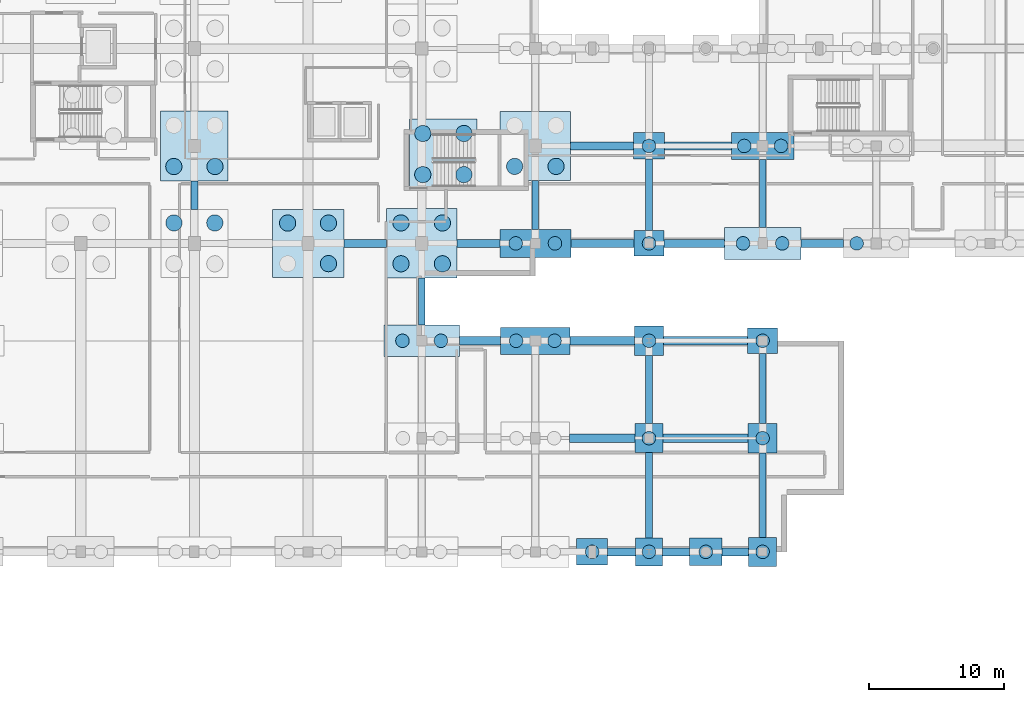
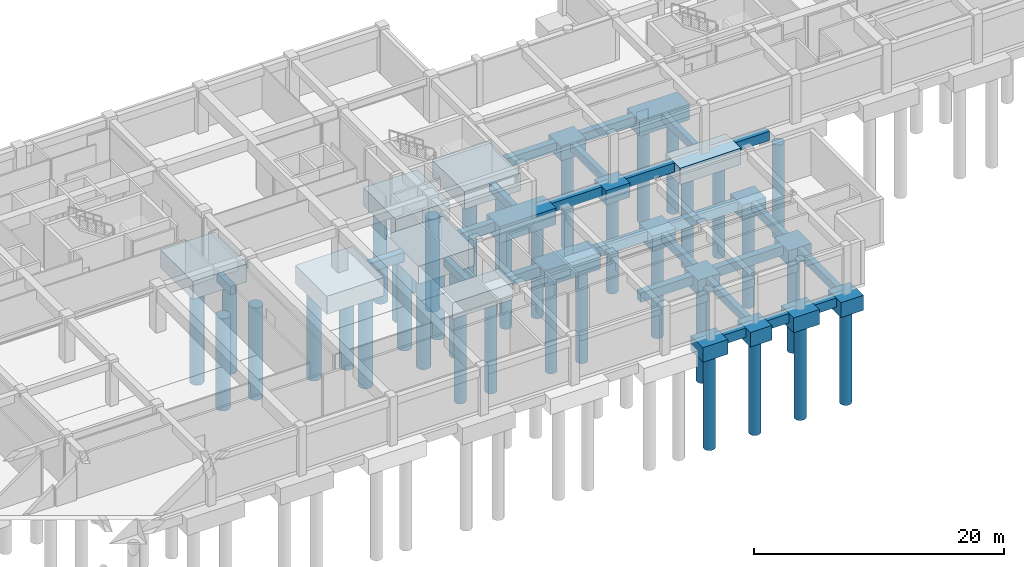
# One storey, part 6 of 42: 44 footings, 38 piles.
"""IFC4 building model written with IfcOpenShell, lengths in metres."""

from ifc_helpers import new_model, si_unit, direction, frame, origin, origin_2d, place, context, subcontext, project, spatial, rectangle, circle, extrude, material, material_profile, profile_set, type_object, element, save


model = new_model("IFC4")

# Units and contexts
model_context = context("Model", 3, precision=1e-05, world=origin(), true_north=direction((0.0, 1.0)))
body_context = subcontext(model_context, "Body", "Model", "MODEL_VIEW")
ifc_project = project(units=[si_unit("LENGTHUNIT", "METRE"), si_unit("AREAUNIT", "SQUARE_METRE"), si_unit("VOLUMEUNIT", "CUBIC_METRE"), si_unit("PLANEANGLEUNIT", "RADIAN"), si_unit("MASSUNIT", "GRAM", prefix="KILO")], contexts=[model_context])

# Site, building, storey
site_placement = place(None, origin())
site = spatial("IfcSite", under=ifc_project, at=site_placement, CompositionType="ELEMENT")
building_placement = place(site_placement, origin())
building = spatial("IfcBuilding", under=site, at=building_placement, Name="Quendrovan Civic Courthouse", CompositionType="ELEMENT")
storey_placement = place(building_placement, frame((0.0, 0.0, -4.5)))
storey = spatial("IfcBuildingStorey", under=building, at=storey_placement, Name="B1", CompositionType="ELEMENT", Elevation=-4.5)

# Footings
ifc_material = material(Name="Concrete C35/45", Category="concrete")
footing_type_1 = type_object("IfcFootingType", Name="FTG-PC1-198x208x143", PredefinedType="PILE_CAP", material=ifc_material)
footing_1_placement = place(storey_placement, frame((100.800048828125, 64.800048828125, -1.72998046875), z_axis=(0.0, 0.0, 1.0), x_axis=(1.0, 0.0, 0.0)))
element("IfcFooting", 1, at=footing_1_placement, inside=storey, type_object=footing_type_1, Name="Pile Cap PC1-02 at 13-J", PredefinedType="PILE_CAP", context=body_context, shape_type="SweptSolid", body=[
    extrude(rectangle(XDim=1.97998046875, YDim=2.080078125, at=origin_2d()), origin(), (0.0, 0.0, 1.0), 1.429931640625),
])
footing_type_2 = type_object("IfcFootingType", Name="FTG-PC1-206x214x146", PredefinedType="PILE_CAP", material=ifc_material)
for number, where, z_axis, x_axis, name in (
    (2, (100.800048828125, 73.199951171875, -1.760009765625), (0.0, 0.0, 1.0), (1.0, 0.0, 0.0), "Pile Cap PC1-03 at 13-K"),
    (3, (109.199951171875, 64.800048828125, -1.760009765625), (0.0, 0.0, 1.0), (1.0, 0.0, 0.0), "Pile Cap PC1-03 at 14-J"),
):
    element("IfcFooting", number, at=place(storey_placement, frame(where, z_axis=z_axis, x_axis=x_axis)), inside=storey, type_object=footing_type_2, Name=name, PredefinedType="PILE_CAP", context=body_context, shape_type="SweptSolid", body=[
        extrude(rectangle(XDim=2.06005859375, YDim=2.139892578125, at=origin_2d()), origin(), (0.0, 0.0, 1.0), 1.4599609375),
    ])
footing_type_3 = type_object("IfcFootingType", Name="FTG-PC1-214x220x149", PredefinedType="PILE_CAP", material=ifc_material)
for number, where, z_axis, x_axis, name in (
    (4, (100.800048828125, 80.39990234375, -1.7900390625), (0.0, 0.0, 1.0), (1.0, 0.0, 0.0), "Pile Cap PC1-04 at 13-L"),
    (5, (109.199951171875, 73.199951171875, -1.7900390625), (0.0, 0.0, 1.0), (1.0, 0.0, 0.0), "Pile Cap PC1-04 at 14-K"),
):
    element("IfcFooting", number, at=place(storey_placement, frame(where, z_axis=z_axis, x_axis=x_axis)), inside=storey, type_object=footing_type_3, Name=name, PredefinedType="PILE_CAP", context=body_context, shape_type="SweptSolid", body=[
        extrude(rectangle(XDim=2.139892578125, YDim=2.199951171875, at=origin_2d()), origin(), (0.0, 0.0, 1.0), 1.489990234375),
    ])
footing_type_4 = type_object("IfcFootingType", Name="FTG-PC1-222x190x140", PredefinedType="PILE_CAP", material=ifc_material)
for number, where, z_axis, x_axis, name in (
    (6, (100.800048828125, 87.60009765625, -1.699951171875), (0.0, 0.0, 1.0), (1.0, 0.0, 0.0), "Pile Cap PC1-05 at 13-M"),
    (7, (109.199951171875, 80.39990234375, -1.699951171875), (0.0, 0.0, 1.0), (1.0, 0.0, 0.0), "Pile Cap PC1-05 at 14-L"),
):
    element("IfcFooting", number, at=place(storey_placement, frame(where, z_axis=z_axis, x_axis=x_axis)), inside=storey, type_object=footing_type_4, Name=name, PredefinedType="PILE_CAP", context=body_context, shape_type="SweptSolid", body=[
        extrude(rectangle(XDim=2.219970703125, YDim=1.89990234375, at=origin_2d()), origin(), (0.0, 0.0, 1.0), 1.39990234375),
    ])
footing_type_5 = type_object("IfcFootingType", Name="FTG-PC1-229x196x143", PredefinedType="PILE_CAP", material=ifc_material)
for number, where, z_axis, x_axis, name in (
    (8, (100.800048828125, 94.800048828125, -1.72998046875), (0.0, 0.0, 1.0), (1.0, 0.0, 0.0), "Pile Cap PC1-06 at 13-N"),
    (9, (96.60009765625, 64.800048828125, -1.72998046875), (0.0, 0.0, 1.0), (1.0, 0.0, 0.0), "Pile Cap PC1-06 at PIL-C3"),
):
    element("IfcFooting", number, at=place(storey_placement, frame(where, z_axis=z_axis, x_axis=x_axis)), inside=storey, type_object=footing_type_5, Name=name, PredefinedType="PILE_CAP", context=body_context, shape_type="SweptSolid", body=[
        extrude(rectangle(XDim=2.300048828125, YDim=1.9599609375, at=origin_2d()), origin(), (0.0, 0.0, 1.0), 1.429931640625),
    ])
footing_type_6 = type_object("IfcFootingType", Name="FTG-PC1-238x202x146", PredefinedType="PILE_CAP", material=ifc_material)
footing_2_placement = place(storey_placement, frame((105.0, 64.800048828125, -1.760009765625), z_axis=(0.0, 0.0, 1.0), x_axis=(1.0, 0.0, 0.0)))
element("IfcFooting", 10, at=footing_2_placement, inside=storey, type_object=footing_type_6, Name="Pile Cap PC1-07 at PIL-C4", PredefinedType="PILE_CAP", context=body_context, shape_type="SweptSolid", body=[
    extrude(rectangle(XDim=2.3798828125, YDim=2.02001953125, at=origin_2d()), origin(), (0.0, 0.0, 1.0), 1.4599609375),
])
footing_type_7 = type_object("IfcFootingType", Name="FTG-PC2-459x200x155", PredefinedType="PILE_CAP", material=ifc_material)
footing_3_placement = place(storey_placement, frame((109.199951171875, 94.800048828125, -1.85009765625), z_axis=(0.0, 0.0, 1.0), x_axis=(1.0, 0.0, 0.0)))
element("IfcFooting", 11, at=footing_3_placement, inside=storey, type_object=footing_type_7, Name="Pile Cap PC2-01 at 14-N", PredefinedType="PILE_CAP", context=body_context, shape_type="SweptSolid", body=[
    extrude(rectangle(XDim=4.60009765625, YDim=2.0, at=origin_2d()), origin(), (0.0, 0.0, 1.0), 1.550048828125),
])
footing_type_8 = type_object("IfcFootingType", Name="FTG-PC2-516x200x159", PredefinedType="PILE_CAP", material=ifc_material)
footing_4_placement = place(storey_placement, frame((92.39990234375, 80.39990234375, -1.89013671875), z_axis=(0.0, 0.0, 1.0), x_axis=(1.0, 0.0, 0.0)))
element("IfcFooting", 12, at=footing_4_placement, inside=storey, type_object=footing_type_8, Name="Pile Cap PC2-08 at 12-L", PredefinedType="PILE_CAP", context=body_context, shape_type="SweptSolid", body=[
    extrude(rectangle(XDim=5.159912109375, YDim=2.0, at=origin_2d()), origin(), (0.0, 0.0, 1.0), 1.590087890625),
])
footing_type_9 = type_object("IfcFootingType", Name="FTG-PC2-524x206x161", PredefinedType="PILE_CAP", material=ifc_material)
footing_5_placement = place(storey_placement, frame((92.39990234375, 87.60009765625, -1.91015625), z_axis=(0.0, 0.0, 1.0), x_axis=(1.0, 0.0, 0.0)))
element("IfcFooting", 13, at=footing_5_placement, inside=storey, type_object=footing_type_9, Name="Pile Cap PC2-09 at 12-M", PredefinedType="PILE_CAP", context=body_context, shape_type="SweptSolid", body=[
    extrude(rectangle(XDim=5.239990234375, YDim=2.06005859375, at=origin_2d()), origin(), (0.0, 0.0, 1.0), 1.610107421875),
])
footing_type_10 = type_object("IfcFootingType", Name="FTG-PC2-556x229x159", PredefinedType="PILE_CAP", material=ifc_material)
footing_6_placement = place(storey_placement, frame((84.0, 80.39990234375, -1.89013671875), z_axis=(0.0, 0.0, 1.0), x_axis=(1.0, 0.0, 0.0)))
element("IfcFooting", 14, at=footing_6_placement, inside=storey, type_object=footing_type_10, Name="Pile Cap PC2-13 at 11-L", PredefinedType="PILE_CAP", context=body_context, shape_type="SweptSolid", body=[
    extrude(rectangle(XDim=5.56005859375, YDim=2.300048828125, at=origin_2d()), origin(), (0.0, 0.0, 1.0), 1.590087890625),
])
footing_type_11 = type_object("IfcFootingType", Name="FTG-PC2-564x236x161", PredefinedType="PILE_CAP", material=ifc_material)
footing_7_placement = place(storey_placement, frame((109.199951171875, 87.60009765625, -1.91015625), z_axis=(0.0, 0.0, 1.0), x_axis=(1.0, 0.0, 0.0)))
element("IfcFooting", 15, at=footing_7_placement, inside=storey, type_object=footing_type_11, Name="Pile Cap PC2-14 at 14-M", PredefinedType="PILE_CAP", context=body_context, shape_type="SweptSolid", body=[
    extrude(rectangle(XDim=5.639892578125, YDim=2.360107421875, at=origin_2d()), origin(), (0.0, 0.0, 1.0), 1.610107421875),
])
footing_type_12 = type_object("IfcFootingType", Name="FTG-PC4-500x516x176", PredefinedType="PILE_CAP", material=ifc_material)
for number, where, z_axis, x_axis, name in (
    (16, (67.199951171875, 94.800048828125, -2.06005859375), (0.0, 0.0, 1.0), (1.0, 0.0, 0.0), "Pile Cap PC4-03 at 9-N"),
    (17, (85.60009765625, 94.199951171875, -2.06005859375), (0.0, 0.0, 1.0), (1.0, 0.0, 0.0), "Core Pile Cap C3"),
):
    element("IfcFooting", number, at=place(storey_placement, frame(where, z_axis=z_axis, x_axis=x_axis)), inside=storey, type_object=footing_type_12, Name=name, PredefinedType="PILE_CAP", context=body_context, shape_type="SweptSolid", body=[
        extrude(rectangle(XDim=5.0, YDim=5.159912109375, at=origin_2d()), origin(), (0.0, 0.0, 1.0), 1.760009765625),
    ])
footing_type_13 = type_object("IfcFootingType", Name="FTG-PC4-520x512x174", PredefinedType="PILE_CAP", material=ifc_material)
for number, where, z_axis, x_axis, name in (
    (18, (84.0, 87.60009765625, -2.0400390625), (0.0, 0.0, 1.0), (1.0, 0.0, 0.0), "Pile Cap PC4-08 at 11-M"),
    (19, (92.39990234375, 94.800048828125, -2.0400390625), (0.0, 0.0, 1.0), (1.0, 0.0, 0.0), "Pile Cap PC4-08 at 12-N"),
):
    element("IfcFooting", number, at=place(storey_placement, frame(where, z_axis=z_axis, x_axis=x_axis)), inside=storey, type_object=footing_type_13, Name=name, PredefinedType="PILE_CAP", context=body_context, shape_type="SweptSolid", body=[
        extrude(rectangle(XDim=5.199951171875, YDim=5.1201171875, at=origin_2d()), origin(), (0.0, 0.0, 1.0), 1.739990234375),
    ])
footing_type_14 = type_object("IfcFootingType", Name="FTG-PC4-528x504x178", PredefinedType="PILE_CAP", material=ifc_material)
footing_8_placement = place(storey_placement, frame((75.60009765625, 87.60009765625, -2.080078125), z_axis=(0.0, 0.0, 1.0), x_axis=(1.0, 0.0, 0.0)))
element("IfcFooting", 20, at=footing_8_placement, inside=storey, type_object=footing_type_14, Name="Pile Cap PC4-10 at 10-M", PredefinedType="PILE_CAP", context=body_context, shape_type="SweptSolid", body=[
    extrude(rectangle(XDim=5.280029296875, YDim=5.0400390625, at=origin_2d()), origin(), (0.0, 0.0, 1.0), 1.780029296875),
])
footing_type_15 = type_object("IfcFootingType", Name="FTG-TBX-2000", PredefinedType="FOOTING_BEAM", material=ifc_material)
footing_9_placement = place(storey_placement, frame((98.780029296875, 64.800048828125, -1.199951171875), z_axis=(0.0, 0.0, 1.0), x_axis=(1.0, 0.0, 0.0)))
element("IfcFooting", 21, at=footing_9_placement, inside=storey, type_object=footing_type_15, Name="Seismic Tie Beam TB-X-039", PredefinedType="FOOTING_BEAM", context=body_context, shape_type="SweptSolid", body=[
    extrude(rectangle(XDim=2.06005859375, YDim=0.60009765625, at=origin_2d()), origin(), (0.0, 0.0, 1.0), 0.89990234375),
])
footing_10_placement = place(storey_placement, frame((102.800048828125, 64.800048828125, -1.199951171875), z_axis=(0.0, 0.0, 1.0), x_axis=(1.0, 0.0, 0.0)))
element("IfcFooting", 22, at=footing_10_placement, inside=storey, type_object=footing_type_15, Name="Seismic Tie Beam TB-X-040", PredefinedType="FOOTING_BEAM", context=body_context, shape_type="SweptSolid", body=[
    extrude(rectangle(XDim=2.02001953125, YDim=0.60009765625, at=origin_2d()), origin(), (0.0, 0.0, 1.0), 0.89990234375),
])
footing_11_placement = place(storey_placement, frame((107.179931640625, 64.800048828125, -1.199951171875), z_axis=(0.0, 0.0, 1.0), x_axis=(1.0, 0.0, 0.0)))
element("IfcFooting", 23, at=footing_11_placement, inside=storey, type_object=footing_type_15, Name="Seismic Tie Beam TB-X-041", PredefinedType="FOOTING_BEAM", context=body_context, shape_type="SweptSolid", body=[
    extrude(rectangle(XDim=1.97998046875, YDim=0.60009765625, at=origin_2d()), origin(), (0.0, 0.0, 1.0), 0.89990234375),
])
footing_type_16 = type_object("IfcFootingType", Name="FTG-TBX-3000", PredefinedType="FOOTING_BEAM", material=ifc_material)
footing_12_placement = place(storey_placement, frame((88.300048828125, 80.39990234375, -1.199951171875), z_axis=(0.0, 0.0, 1.0), x_axis=(1.0, 0.0, 0.0)))
element("IfcFooting", 24, at=footing_12_placement, inside=storey, type_object=footing_type_16, Name="Seismic Tie Beam TB-X-055", PredefinedType="FOOTING_BEAM", context=body_context, shape_type="SweptSolid", body=[
    extrude(rectangle(XDim=3.0400390625, YDim=0.60009765625, at=origin_2d()), origin(), (0.0, 0.0, 1.0), 0.89990234375),
])
footing_type_17 = type_object("IfcFootingType", Name="FTG-TBX-3200", PredefinedType="FOOTING_BEAM", material=ifc_material)
footing_13_placement = place(storey_placement, frame((79.820068359375, 87.60009765625, -1.199951171875), z_axis=(0.0, 0.0, 1.0), x_axis=(1.0, 0.0, 0.0)))
element("IfcFooting", 25, at=footing_13_placement, inside=storey, type_object=footing_type_17, Name="Seismic Tie Beam TB-X-064", PredefinedType="FOOTING_BEAM", context=body_context, shape_type="SweptSolid", body=[
    extrude(rectangle(XDim=3.159912109375, YDim=0.60009765625, at=origin_2d()), origin(), (0.0, 0.0, 1.0), 0.89990234375),
])
footing_14_placement = place(storey_placement, frame((88.18994140625, 87.60009765625, -1.199951171875), z_axis=(0.0, 0.0, 1.0), x_axis=(1.0, 0.0, 0.0)))
element("IfcFooting", 26, at=footing_14_placement, inside=storey, type_object=footing_type_17, Name="Seismic Tie Beam TB-X-065", PredefinedType="FOOTING_BEAM", context=body_context, shape_type="SweptSolid", body=[
    extrude(rectangle(XDim=3.179931640625, YDim=0.60009765625, at=origin_2d()), origin(), (0.0, 0.0, 1.0), 0.89990234375),
])
footing_15_placement = place(storey_placement, frame((113.60009765625, 87.60009765625, -1.199951171875), z_axis=(0.0, 0.0, 1.0), x_axis=(1.0, 0.0, 0.0)))
element("IfcFooting", 27, at=footing_15_placement, inside=storey, type_object=footing_type_17, Name="Seismic Tie Beam TB-X-068", PredefinedType="FOOTING_BEAM", context=body_context, shape_type="SweptSolid", body=[
    extrude(rectangle(XDim=3.159912109375, YDim=0.60009765625, at=origin_2d()), origin(), (0.0, 0.0, 1.0), 0.89990234375),
])
footing_type_18 = type_object("IfcFootingType", Name="FTG-TBX-4400", PredefinedType="FOOTING_BEAM", material=ifc_material)
footing_16_placement = place(storey_placement, frame((104.14501953125, 87.60009765625, -1.199951171875), z_axis=(0.0, 0.0, 1.0), x_axis=(1.0, 0.0, 0.0)))
element("IfcFooting", 28, at=footing_16_placement, inside=storey, type_object=footing_type_18, Name="Seismic Tie Beam TB-X-067", PredefinedType="FOOTING_BEAM", context=body_context, shape_type="SweptSolid", body=[
    extrude(rectangle(XDim=4.469970703125, YDim=0.60009765625, at=origin_2d()), origin(), (0.0, 0.0, 1.0), 0.89990234375),
])
footing_type_19 = type_object("IfcFootingType", Name="FTG-TBX-4600", PredefinedType="FOOTING_BEAM", material=ifc_material)
footing_17_placement = place(storey_placement, frame((97.35498046875, 87.60009765625, -1.199951171875), z_axis=(0.0, 0.0, 1.0), x_axis=(1.0, 0.0, 0.0)))
element("IfcFooting", 29, at=footing_17_placement, inside=storey, type_object=footing_type_19, Name="Seismic Tie Beam TB-X-066", PredefinedType="FOOTING_BEAM", context=body_context, shape_type="SweptSolid", body=[
    extrude(rectangle(XDim=4.669921875, YDim=0.60009765625, at=origin_2d()), origin(), (0.0, 0.0, 1.0), 0.89990234375),
])
footing_18_placement = place(storey_placement, frame((97.324951171875, 94.800048828125, -1.199951171875), z_axis=(0.0, 0.0, 1.0), x_axis=(1.0, 0.0, 0.0)))
element("IfcFooting", 30, at=footing_18_placement, inside=storey, type_object=footing_type_19, Name="Seismic Tie Beam TB-X-075", PredefinedType="FOOTING_BEAM", context=body_context, shape_type="SweptSolid", body=[
    extrude(rectangle(XDim=4.64990234375, YDim=0.60009765625, at=origin_2d()), origin(), (0.0, 0.0, 1.0), 0.89990234375),
])
footing_type_20 = type_object("IfcFootingType", Name="FTG-TBX-4800", PredefinedType="FOOTING_BEAM", material=ifc_material)
footing_19_placement = place(storey_placement, frame((97.35498046875, 73.199951171875, -1.199951171875), z_axis=(0.0, 0.0, 1.0), x_axis=(1.0, 0.0, 0.0)))
element("IfcFooting", 31, at=footing_19_placement, inside=storey, type_object=footing_type_20, Name="Seismic Tie Beam TB-X-048", PredefinedType="FOOTING_BEAM", context=body_context, shape_type="SweptSolid", body=[
    extrude(rectangle(XDim=4.830078125, YDim=0.60009765625, at=origin_2d()), origin(), (0.0, 0.0, 1.0), 0.89990234375),
])
footing_20_placement = place(storey_placement, frame((97.35498046875, 80.39990234375, -1.199951171875), z_axis=(0.0, 0.0, 1.0), x_axis=(1.0, 0.0, 0.0)))
element("IfcFooting", 32, at=footing_20_placement, inside=storey, type_object=footing_type_20, Name="Seismic Tie Beam TB-X-056", PredefinedType="FOOTING_BEAM", context=body_context, shape_type="SweptSolid", body=[
    extrude(rectangle(XDim=4.75, YDim=0.60009765625, at=origin_2d()), origin(), (0.0, 0.0, 1.0), 0.89990234375),
])
footing_type_21 = type_object("IfcFootingType", Name="FTG-TBX-5000", PredefinedType="FOOTING_BEAM", material=ifc_material)
footing_21_placement = place(storey_placement, frame((104.425048828125, 94.800048828125, -1.199951171875), z_axis=(0.0, 0.0, 1.0), x_axis=(1.0, 0.0, 0.0)))
element("IfcFooting", 33, at=footing_21_placement, inside=storey, type_object=footing_type_21, Name="Seismic Tie Beam TB-X-076", PredefinedType="FOOTING_BEAM", context=body_context, shape_type="SweptSolid", body=[
    extrude(rectangle(XDim=4.949951171875, YDim=0.60009765625, at=origin_2d()), origin(), (0.0, 0.0, 1.0), 0.89990234375),
])
footing_type_22 = type_object("IfcFootingType", Name="FTG-TBX-6200", PredefinedType="FOOTING_BEAM", material=ifc_material)
footing_22_placement = place(storey_placement, frame((104.97998046875, 80.39990234375, -1.199951171875), z_axis=(0.0, 0.0, 1.0), x_axis=(1.0, 0.0, 0.0)))
element("IfcFooting", 34, at=footing_22_placement, inside=storey, type_object=footing_type_22, Name="Seismic Tie Beam TB-X-057", PredefinedType="FOOTING_BEAM", context=body_context, shape_type="SweptSolid", body=[
    extrude(rectangle(XDim=6.219970703125, YDim=0.60009765625, at=origin_2d()), origin(), (0.0, 0.0, 1.0), 0.89990234375),
])
footing_type_23 = type_object("IfcFootingType", Name="FTG-TBX-6400", PredefinedType="FOOTING_BEAM", material=ifc_material)
footing_23_placement = place(storey_placement, frame((104.97998046875, 73.199951171875, -1.199951171875), z_axis=(0.0, 0.0, 1.0), x_axis=(1.0, 0.0, 0.0)))
element("IfcFooting", 35, at=footing_23_placement, inside=storey, type_object=footing_type_23, Name="Seismic Tie Beam TB-X-049", PredefinedType="FOOTING_BEAM", context=body_context, shape_type="SweptSolid", body=[
    extrude(rectangle(XDim=6.300048828125, YDim=0.60009765625, at=origin_2d()), origin(), (0.0, 0.0, 1.0), 0.89990234375),
])
footing_type_24 = type_object("IfcFootingType", Name="FTG-TBY-2200", PredefinedType="FOOTING_BEAM", material=ifc_material)
footing_24_placement = place(storey_placement, frame((67.199951171875, 91.169921875, -1.10009765625), z_axis=(0.0, 0.0, 1.0), x_axis=(1.0, 0.0, 0.0)))
element("IfcFooting", 36, at=footing_24_placement, inside=storey, type_object=footing_type_24, Name="Seismic Tie Beam TB-Y-135", PredefinedType="FOOTING_BEAM", context=body_context, shape_type="SweptSolid", body=[
    extrude(rectangle(XDim=0.5, YDim=2.10009765625, at=origin_2d()), origin(), (0.0, 0.0, 1.0), 0.800048828125),
])
footing_type_25 = type_object("IfcFootingType", Name="FTG-TBY-3400", PredefinedType="FOOTING_BEAM", material=ifc_material)
footing_25_placement = place(storey_placement, frame((84.0, 83.294921875, -1.10009765625), z_axis=(0.0, 0.0, 1.0), x_axis=(1.0, 0.0, 0.0)))
element("IfcFooting", 37, at=footing_25_placement, inside=storey, type_object=footing_type_25, Name="Seismic Tie Beam TB-Y-143", PredefinedType="FOOTING_BEAM", context=body_context, shape_type="SweptSolid", body=[
    extrude(rectangle(XDim=0.5, YDim=3.489990234375, at=origin_2d()), origin(), (0.0, 0.0, 1.0), 0.800048828125),
])
footing_type_26 = type_object("IfcFootingType", Name="FTG-TBY-3600", PredefinedType="FOOTING_BEAM", material=ifc_material)
footing_26_placement = place(storey_placement, frame((92.39990234375, 90.43505859375, -1.10009765625), z_axis=(0.0, 0.0, 1.0), x_axis=(1.0, 0.0, 0.0)))
element("IfcFooting", 38, at=footing_26_placement, inside=storey, type_object=footing_type_26, Name="Seismic Tie Beam TB-Y-148", PredefinedType="FOOTING_BEAM", context=body_context, shape_type="SweptSolid", body=[
    extrude(rectangle(XDim=0.5, YDim=3.610107421875, at=origin_2d()), origin(), (0.0, 0.0, 1.0), 0.800048828125),
])
footing_type_27 = type_object("IfcFootingType", Name="FTG-TBY-5000", PredefinedType="FOOTING_BEAM", material=ifc_material)
footing_27_placement = place(storey_placement, frame((100.800048828125, 76.784912109375, -1.10009765625), z_axis=(0.0, 0.0, 1.0), x_axis=(1.0, 0.0, 0.0)))
element("IfcFooting", 39, at=footing_27_placement, inside=storey, type_object=footing_type_27, Name="Seismic Tie Beam TB-Y-154", PredefinedType="FOOTING_BEAM", context=body_context, shape_type="SweptSolid", body=[
    extrude(rectangle(XDim=0.5, YDim=5.030029296875, at=origin_2d()), origin(), (0.0, 0.0, 1.0), 0.800048828125),
])
footing_28_placement = place(storey_placement, frame((109.199951171875, 91.2900390625, -1.10009765625), z_axis=(0.0, 0.0, 1.0), x_axis=(1.0, 0.0, 0.0)))
element("IfcFooting", 40, at=footing_28_placement, inside=storey, type_object=footing_type_27, Name="Seismic Tie Beam TB-Y-161", PredefinedType="FOOTING_BEAM", context=body_context, shape_type="SweptSolid", body=[
    extrude(rectangle(XDim=0.5, YDim=5.02001953125, at=origin_2d()), origin(), (0.0, 0.0, 1.0), 0.800048828125),
])
footing_type_28 = type_object("IfcFootingType", Name="FTG-TBY-5200", PredefinedType="FOOTING_BEAM", material=ifc_material)
footing_29_placement = place(storey_placement, frame((100.800048828125, 91.18505859375, -1.10009765625), z_axis=(0.0, 0.0, 1.0), x_axis=(1.0, 0.0, 0.0)))
element("IfcFooting", 41, at=footing_29_placement, inside=storey, type_object=footing_type_28, Name="Seismic Tie Beam TB-Y-155", PredefinedType="FOOTING_BEAM", context=body_context, shape_type="SweptSolid", body=[
    extrude(rectangle(XDim=0.5, YDim=5.27001953125, at=origin_2d()), origin(), (0.0, 0.0, 1.0), 0.800048828125),
])
footing_30_placement = place(storey_placement, frame((109.199951171875, 76.875, -1.10009765625), z_axis=(0.0, 0.0, 1.0), x_axis=(1.0, 0.0, 0.0)))
element("IfcFooting", 42, at=footing_30_placement, inside=storey, type_object=footing_type_28, Name="Seismic Tie Beam TB-Y-160", PredefinedType="FOOTING_BEAM", context=body_context, shape_type="SweptSolid", body=[
    extrude(rectangle(XDim=0.5, YDim=5.14990234375, at=origin_2d()), origin(), (0.0, 0.0, 1.0), 0.800048828125),
])
footing_type_29 = type_object("IfcFootingType", Name="FTG-TBY-6200", PredefinedType="FOOTING_BEAM", material=ifc_material)
footing_31_placement = place(storey_placement, frame((100.800048828125, 68.985107421875, -1.10009765625), z_axis=(0.0, 0.0, 1.0), x_axis=(1.0, 0.0, 0.0)))
element("IfcFooting", 43, at=footing_31_placement, inside=storey, type_object=footing_type_29, Name="Seismic Tie Beam TB-Y-153", PredefinedType="FOOTING_BEAM", context=body_context, shape_type="SweptSolid", body=[
    extrude(rectangle(XDim=0.5, YDim=6.2900390625, at=origin_2d()), origin(), (0.0, 0.0, 1.0), 0.800048828125),
])
footing_32_placement = place(storey_placement, frame((109.199951171875, 68.985107421875, -1.10009765625), z_axis=(0.0, 0.0, 1.0), x_axis=(1.0, 0.0, 0.0)))
element("IfcFooting", 44, at=footing_32_placement, inside=storey, type_object=footing_type_29, Name="Seismic Tie Beam TB-Y-159", PredefinedType="FOOTING_BEAM", context=body_context, shape_type="SweptSolid", body=[
    extrude(rectangle(XDim=0.5, YDim=6.22998046875, at=origin_2d()), origin(), (0.0, 0.0, 1.0), 0.800048828125),
])

# Piles
ifc_material_profile_1 = material_profile(ifc_material, circle(Radius=0.5, at=origin_2d()), Name="PILE-D1000")
ifc_profile_set_1 = profile_set([ifc_material_profile_1], Name="Concrete C35/45")
pile_type_1 = type_object("IfcPileType", Name="PILE-B1000", PredefinedType="BORED", material=ifc_profile_set_1)
for number, where, z_axis, x_axis, name in (
    (45, (82.580078125, 80.39990234375, -1.7900390625), (0.0, 0.0, -1.0), (1.0, 0.0, 0.0), "Bored Pile PILE-11-L-1"),
    (46, (85.419921875, 80.39990234375, -1.7900390625), (0.0, 0.0, -1.0), (1.0, 0.0, 0.0), "Bored Pile PILE-11-L-2"),
    (47, (90.97998046875, 80.39990234375, -1.7900390625), (0.0, 0.0, -1.0), (1.0, 0.0, 0.0), "Bored Pile PILE-12-L-1"),
    (48, (93.820068359375, 80.39990234375, -1.7900390625), (0.0, 0.0, -1.0), (1.0, 0.0, 0.0), "Bored Pile PILE-12-L-2"),
):
    element("IfcPile", number, at=place(storey_placement, frame(where, z_axis=z_axis, x_axis=x_axis)), inside=storey, type_object=pile_type_1, Name=name, PredefinedType="BORED", context=body_context, shape_type="SweptSolid", body=[
        extrude(circle(Radius=0.5, at=origin_2d()), origin(), (0.0, 0.0, 1.0), 9.2099609375),
    ])
for number, where, z_axis, x_axis, name in (
    (49, (90.949951171875, 87.60009765625, -1.81005859375), (0.0, 0.0, -1.0), (1.0, 0.0, 0.0), "Bored Pile PILE-12-M-1"),
    (50, (93.85009765625, 87.60009765625, -1.81005859375), (0.0, 0.0, -1.0), (1.0, 0.0, 0.0), "Bored Pile PILE-12-M-2"),
):
    element("IfcPile", number, at=place(storey_placement, frame(where, z_axis=z_axis, x_axis=x_axis)), inside=storey, type_object=pile_type_1, Name=name, PredefinedType="BORED", context=body_context, shape_type="SweptSolid", body=[
        extrude(circle(Radius=0.5, at=origin_2d()), origin(), (0.0, 0.0, 1.0), 9.18994140625),
    ])
pile_1_placement = place(storey_placement, frame((100.800048828125, 64.800048828125, -1.6298828125), z_axis=(0.0, 0.0, -1.0), x_axis=(1.0, 0.0, 0.0)))
element("IfcPile", 51, at=pile_1_placement, inside=storey, type_object=pile_type_1, Name="Bored Pile PILE-13-J-1", PredefinedType="BORED", context=body_context, shape_type="SweptSolid", body=[
    extrude(circle(Radius=0.5, at=origin_2d()), origin(), (0.0, 0.0, 1.0), 9.3701171875),
])
pile_2_placement = place(storey_placement, frame((100.800048828125, 73.199951171875, -1.659912109375), z_axis=(0.0, 0.0, -1.0), x_axis=(1.0, 0.0, 0.0)))
element("IfcPile", 52, at=pile_2_placement, inside=storey, type_object=pile_type_1, Name="Bored Pile PILE-13-K-1", PredefinedType="BORED", context=body_context, shape_type="SweptSolid", body=[
    extrude(circle(Radius=0.5, at=origin_2d()), origin(), (0.0, 0.0, 1.0), 9.340087890625),
])
pile_3_placement = place(storey_placement, frame((100.800048828125, 80.39990234375, -1.68994140625), z_axis=(0.0, 0.0, -1.0), x_axis=(1.0, 0.0, 0.0)))
element("IfcPile", 53, at=pile_3_placement, inside=storey, type_object=pile_type_1, Name="Bored Pile PILE-13-L-1", PredefinedType="BORED", context=body_context, shape_type="SweptSolid", body=[
    extrude(circle(Radius=0.5, at=origin_2d()), origin(), (0.0, 0.0, 1.0), 9.31005859375),
])
pile_4_placement = place(storey_placement, frame((100.800048828125, 87.60009765625, -1.60009765625), z_axis=(0.0, 0.0, -1.0), x_axis=(1.0, 0.0, 0.0)))
element("IfcPile", 54, at=pile_4_placement, inside=storey, type_object=pile_type_1, Name="Bored Pile PILE-13-M-1", PredefinedType="BORED", context=body_context, shape_type="SweptSolid", body=[
    extrude(circle(Radius=0.5, at=origin_2d()), origin(), (0.0, 0.0, 1.0), 9.39990234375),
])
pile_5_placement = place(storey_placement, frame((100.800048828125, 94.800048828125, -1.6298828125), z_axis=(0.0, 0.0, -1.0), x_axis=(1.0, 0.0, 0.0)))
element("IfcPile", 55, at=pile_5_placement, inside=storey, type_object=pile_type_1, Name="Bored Pile PILE-13-N-1", PredefinedType="BORED", context=body_context, shape_type="SweptSolid", body=[
    extrude(circle(Radius=0.5, at=origin_2d()), origin(), (0.0, 0.0, 1.0), 9.3701171875),
])
pile_6_placement = place(storey_placement, frame((109.199951171875, 64.800048828125, -1.659912109375), z_axis=(0.0, 0.0, -1.0), x_axis=(1.0, 0.0, 0.0)))
element("IfcPile", 56, at=pile_6_placement, inside=storey, type_object=pile_type_1, Name="Bored Pile PILE-14-J-1", PredefinedType="BORED", context=body_context, shape_type="SweptSolid", body=[
    extrude(circle(Radius=0.5, at=origin_2d()), origin(), (0.0, 0.0, 1.0), 9.340087890625),
])
pile_7_placement = place(storey_placement, frame((109.199951171875, 73.199951171875, -1.68994140625), z_axis=(0.0, 0.0, -1.0), x_axis=(1.0, 0.0, 0.0)))
element("IfcPile", 57, at=pile_7_placement, inside=storey, type_object=pile_type_1, Name="Bored Pile PILE-14-K-1", PredefinedType="BORED", context=body_context, shape_type="SweptSolid", body=[
    extrude(circle(Radius=0.5, at=origin_2d()), origin(), (0.0, 0.0, 1.0), 9.31005859375),
])
pile_8_placement = place(storey_placement, frame((109.199951171875, 80.39990234375, -1.60009765625), z_axis=(0.0, 0.0, -1.0), x_axis=(1.0, 0.0, 0.0)))
element("IfcPile", 58, at=pile_8_placement, inside=storey, type_object=pile_type_1, Name="Bored Pile PILE-14-L-1", PredefinedType="BORED", context=body_context, shape_type="SweptSolid", body=[
    extrude(circle(Radius=0.5, at=origin_2d()), origin(), (0.0, 0.0, 1.0), 9.39990234375),
])
for number, where, z_axis, x_axis, name in (
    (59, (107.75, 87.60009765625, -1.81005859375), (0.0, 0.0, -1.0), (1.0, 0.0, 0.0), "Bored Pile PILE-14-M-1"),
    (60, (110.64990234375, 87.60009765625, -1.81005859375), (0.0, 0.0, -1.0), (1.0, 0.0, 0.0), "Bored Pile PILE-14-M-2"),
):
    element("IfcPile", number, at=place(storey_placement, frame(where, z_axis=z_axis, x_axis=x_axis)), inside=storey, type_object=pile_type_1, Name=name, PredefinedType="BORED", context=body_context, shape_type="SweptSolid", body=[
        extrude(circle(Radius=0.5, at=origin_2d()), origin(), (0.0, 0.0, 1.0), 9.18994140625),
    ])
for number, where, z_axis, x_axis, name in (
    (61, (107.840087890625, 94.800048828125, -1.75), (0.0, 0.0, -1.0), (1.0, 0.0, 0.0), "Bored Pile PILE-14-N-1"),
    (62, (110.56005859375, 94.800048828125, -1.75), (0.0, 0.0, -1.0), (1.0, 0.0, 0.0), "Bored Pile PILE-14-N-2"),
):
    element("IfcPile", number, at=place(storey_placement, frame(where, z_axis=z_axis, x_axis=x_axis)), inside=storey, type_object=pile_type_1, Name=name, PredefinedType="BORED", context=body_context, shape_type="SweptSolid", body=[
        extrude(circle(Radius=0.5, at=origin_2d()), origin(), (0.0, 0.0, 1.0), 9.25),
    ])
pile_9_placement = place(storey_placement, frame((116.14990234375, 87.60009765625, -1.81005859375), z_axis=(0.0, 0.0, -1.0), x_axis=(1.0, 0.0, 0.0)))
element("IfcPile", 63, at=pile_9_placement, inside=storey, type_object=pile_type_1, Name="Bored Pile PILE-15-M-1", PredefinedType="BORED", context=body_context, shape_type="SweptSolid", body=[
    extrude(circle(Radius=0.5, at=origin_2d()), origin(), (0.0, 0.0, 1.0), 9.18994140625),
])
pile_10_placement = place(storey_placement, frame((96.60009765625, 64.800048828125, -1.6298828125), z_axis=(0.0, 0.0, -1.0), x_axis=(1.0, 0.0, 0.0)))
element("IfcPile", 64, at=pile_10_placement, inside=storey, type_object=pile_type_1, Name="Bored Pile PILE-PIL-C3-1", PredefinedType="BORED", context=body_context, shape_type="SweptSolid", body=[
    extrude(circle(Radius=0.5, at=origin_2d()), origin(), (0.0, 0.0, 1.0), 9.3701171875),
])
pile_11_placement = place(storey_placement, frame((105.0, 64.800048828125, -1.659912109375), z_axis=(0.0, 0.0, -1.0), x_axis=(1.0, 0.0, 0.0)))
element("IfcPile", 65, at=pile_11_placement, inside=storey, type_object=pile_type_1, Name="Bored Pile PILE-PIL-C4-1", PredefinedType="BORED", context=body_context, shape_type="SweptSolid", body=[
    extrude(circle(Radius=0.5, at=origin_2d()), origin(), (0.0, 0.0, 1.0), 9.340087890625),
])
ifc_material_profile_2 = material_profile(ifc_material, circle(Radius=0.60009765625, at=origin_2d()), Name="PILE-D1200")
ifc_profile_set_2 = profile_set([ifc_material_profile_2], Name="Concrete C35/45")
pile_type_2 = type_object("IfcPileType", Name="PILE-B1200", PredefinedType="BORED", material=ifc_profile_set_2)
for number, where, z_axis, x_axis, name in (
    (66, (65.68994140625, 89.110107421875, -1.97998046875), (0.0, 0.0, -1.0), (1.0, 0.0, 0.0), "Bored Pile PILE-9-M-3"),
    (67, (68.7099609375, 89.110107421875, -1.97998046875), (0.0, 0.0, -1.0), (1.0, 0.0, 0.0), "Bored Pile PILE-9-M-4"),
):
    element("IfcPile", number, at=place(storey_placement, frame(where, z_axis=z_axis, x_axis=x_axis)), inside=storey, type_object=pile_type_2, Name=name, PredefinedType="BORED", context=body_context, shape_type="SweptSolid", body=[
        extrude(circle(Radius=0.60009765625, at=origin_2d()), origin(), (0.0, 0.0, 1.0), 9.02001953125),
    ])
for number, where, z_axis, x_axis, name in (
    (68, (65.679931640625, 93.280029296875, -1.9599609375), (0.0, 0.0, -1.0), (1.0, 0.0, 0.0), "Bored Pile PILE-9-N-1"),
    (69, (68.719970703125, 93.280029296875, -1.9599609375), (0.0, 0.0, -1.0), (1.0, 0.0, 0.0), "Bored Pile PILE-9-N-2"),
):
    element("IfcPile", number, at=place(storey_placement, frame(where, z_axis=z_axis, x_axis=x_axis)), inside=storey, type_object=pile_type_2, Name=name, PredefinedType="BORED", context=body_context, shape_type="SweptSolid", body=[
        extrude(circle(Radius=0.60009765625, at=origin_2d()), origin(), (0.0, 0.0, 1.0), 9.0400390625),
    ])
for number, where, z_axis, x_axis, name in (
    (70, (77.110107421875, 86.10009765625, -1.97998046875), (0.0, 0.0, -1.0), (1.0, 0.0, 0.0), "Bored Pile PILE-10-M-2"),
    (71, (74.090087890625, 89.10009765625, -1.97998046875), (0.0, 0.0, -1.0), (1.0, 0.0, 0.0), "Bored Pile PILE-10-M-3"),
    (72, (77.110107421875, 89.10009765625, -1.97998046875), (0.0, 0.0, -1.0), (1.0, 0.0, 0.0), "Bored Pile PILE-10-M-4"),
):
    element("IfcPile", number, at=place(storey_placement, frame(where, z_axis=z_axis, x_axis=x_axis)), inside=storey, type_object=pile_type_2, Name=name, PredefinedType="BORED", context=body_context, shape_type="SweptSolid", body=[
        extrude(circle(Radius=0.60009765625, at=origin_2d()), origin(), (0.0, 0.0, 1.0), 9.02001953125),
    ])
for number, where, z_axis, x_axis, name in (
    (73, (82.469970703125, 86.090087890625, -1.93994140625), (0.0, 0.0, -1.0), (1.0, 0.0, 0.0), "Bored Pile PILE-11-M-1"),
    (74, (85.530029296875, 86.090087890625, -1.93994140625), (0.0, 0.0, -1.0), (1.0, 0.0, 0.0), "Bored Pile PILE-11-M-2"),
    (75, (82.469970703125, 89.110107421875, -1.93994140625), (0.0, 0.0, -1.0), (1.0, 0.0, 0.0), "Bored Pile PILE-11-M-3"),
    (76, (85.530029296875, 89.110107421875, -1.93994140625), (0.0, 0.0, -1.0), (1.0, 0.0, 0.0), "Bored Pile PILE-11-M-4"),
    (77, (90.8701171875, 93.2900390625, -1.93994140625), (0.0, 0.0, -1.0), (1.0, 0.0, 0.0), "Bored Pile PILE-12-N-1"),
    (78, (93.929931640625, 93.2900390625, -1.93994140625), (0.0, 0.0, -1.0), (1.0, 0.0, 0.0), "Bored Pile PILE-12-N-2"),
):
    element("IfcPile", number, at=place(storey_placement, frame(where, z_axis=z_axis, x_axis=x_axis)), inside=storey, type_object=pile_type_2, Name=name, PredefinedType="BORED", context=body_context, shape_type="SweptSolid", body=[
        extrude(circle(Radius=0.60009765625, at=origin_2d()), origin(), (0.0, 0.0, 1.0), 9.06005859375),
    ])
for number, where, z_axis, x_axis, name in (
    (79, (84.080078125, 92.679931640625, -1.9599609375), (0.0, 0.0, -1.0), (1.0, 0.0, 0.0), "Core Bored Pile C3-1"),
    (80, (87.1201171875, 92.679931640625, -1.9599609375), (0.0, 0.0, -1.0), (1.0, 0.0, 0.0), "Core Bored Pile C3-2"),
    (81, (84.080078125, 95.719970703125, -1.9599609375), (0.0, 0.0, -1.0), (1.0, 0.0, 0.0), "Core Bored Pile C3-3"),
    (82, (87.1201171875, 95.719970703125, -1.9599609375), (0.0, 0.0, -1.0), (1.0, 0.0, 0.0), "Core Bored Pile C3-4"),
):
    element("IfcPile", number, at=place(storey_placement, frame(where, z_axis=z_axis, x_axis=x_axis)), inside=storey, type_object=pile_type_2, Name=name, PredefinedType="BORED", context=body_context, shape_type="SweptSolid", body=[
        extrude(circle(Radius=0.60009765625, at=origin_2d()), origin(), (0.0, 0.0, 1.0), 9.0400390625),
    ])

save(model, "model.ifc")
